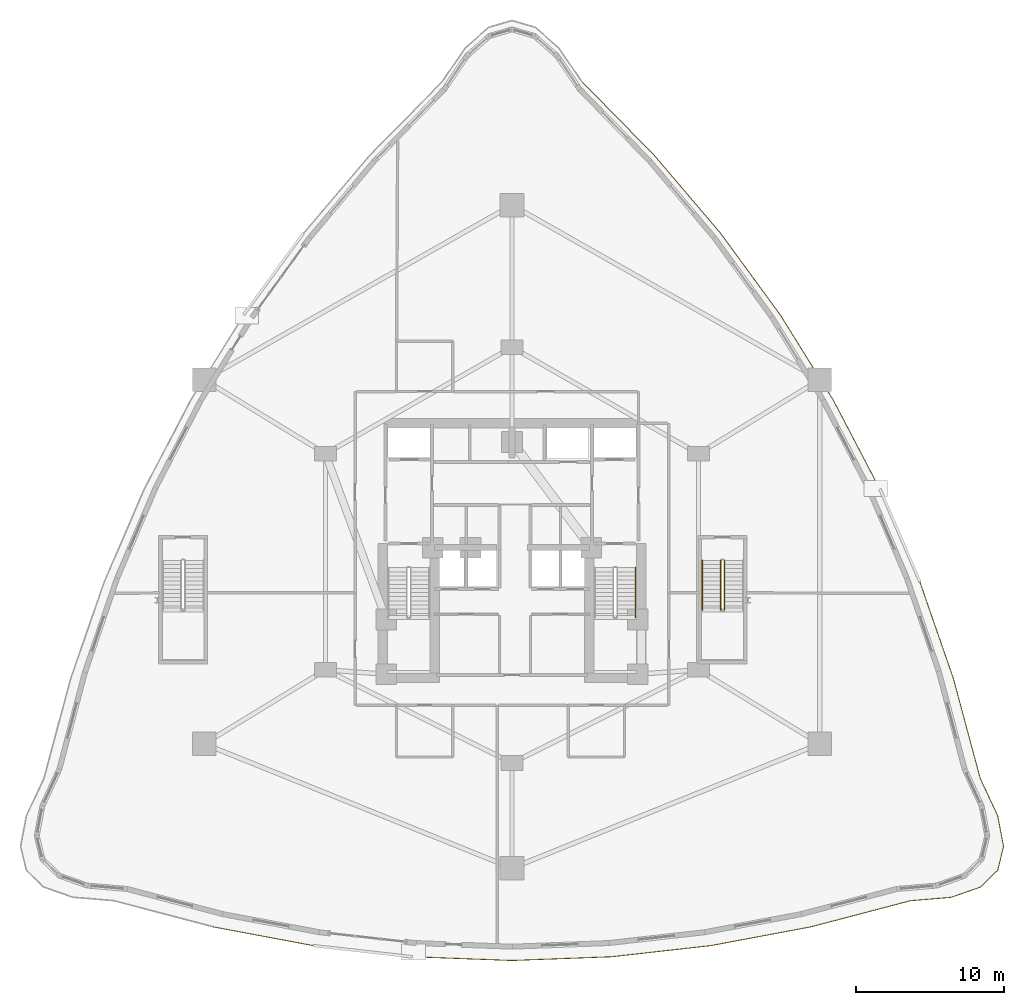
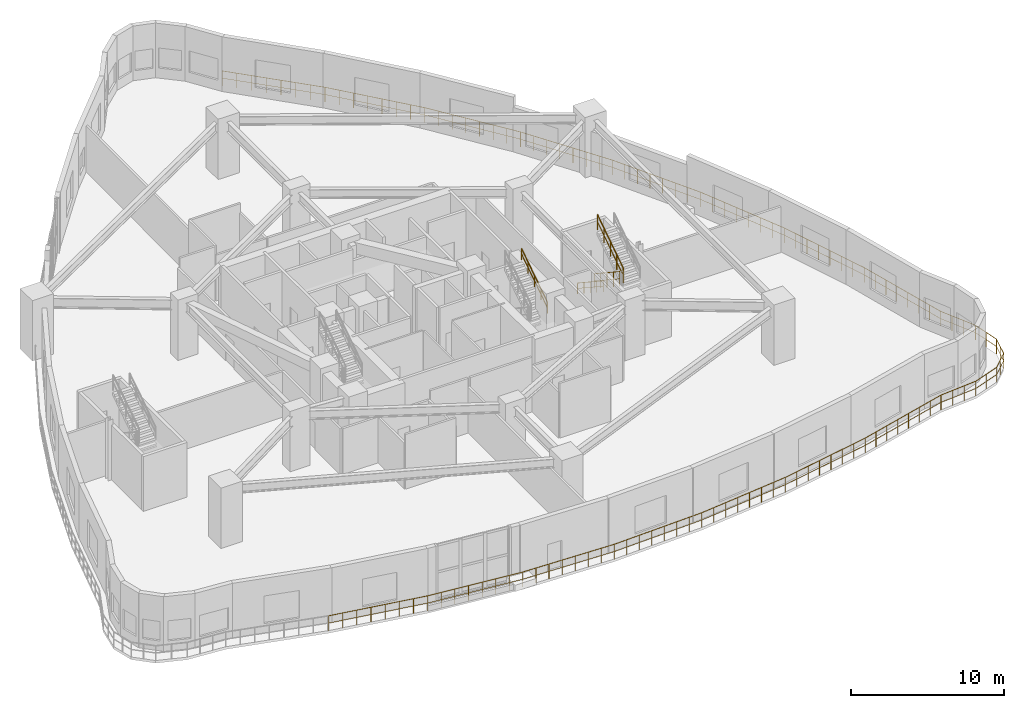
# One storey, part 17 of 19: 5 railings.
"""IFC4 building model written with IfcOpenShell, lengths in metres."""

import ifcopenshell
import ifcopenshell.guid

model = None  # the IFC model being written
_history = None  # IfcOwnerHistory: only IFC2X3 demands one
_inside = {}  # id of a spatial element -> (the spatial element, [elements in it])
_under = {}  # id of a project, library or spatial element -> (it, [spatial elements below it])
_declared = {}  # id of a project -> (the project, [libraries it declares])
_typed = {}  # id of a type object -> (the type object, [elements of that type])
_made_of = {}  # id of a material, layer set ... -> (it, [elements and type objects made of it])


def new_model(schema):
    """Start an empty IFC model of exactly this schema.

    Asked for "IFC4X3", IfcOpenShell would pick the latest addendum, in which some entities
    have other attributes; the version numbers below select the first issue.
    IFC2X3 requires an IfcOwnerHistory on every rooted entity: one is made here for all.
    """
    global model, _history
    if schema == "IFC4X3":
        model = ifcopenshell.file(schema_version=(4, 3, 0, 0))
    else:
        model = ifcopenshell.file(schema=schema)
    _inside.clear()
    _under.clear()
    _declared.clear()
    _typed.clear()
    _made_of.clear()
    _history = None
    if model.schema == "IFC2X3":
        org = make("IfcOrganization", Name="unknown")
        user = make(
            "IfcPersonAndOrganization",
            ThePerson=make("IfcPerson", FamilyName="unknown"),
            TheOrganization=org,
        )
        app = make(
            "IfcApplication",
            ApplicationDeveloper=org,
            Version="unknown",
            ApplicationFullName="unknown",
            ApplicationIdentifier="unknown",
        )
        _history = make(
            "IfcOwnerHistory",
            OwningUser=user,
            OwningApplication=app,
            ChangeAction="ADDED",
            CreationDate=0,
        )
    return model


def make(cls, **values):
    """One entity of the class cls with the attributes given. An attribute that is None is left unset."""
    return model.create_entity(
        cls, **{name: value for name, value in values.items() if value is not None}
    )


def rooted(cls, **values):
    """An entity with a GlobalId (a new one), such as an element, a storey or a relation."""
    return make(cls, GlobalId=ifcopenshell.guid.new(), OwnerHistory=_history, **values)


def si_unit(unit_type, name, prefix=None):
    """IfcSIUnit, for example si_unit("LENGTHUNIT", "METRE", prefix="MILLI")."""
    return make("IfcSIUnit", UnitType=unit_type, Prefix=prefix, Name=name)


def assignment(units):
    """IfcUnitAssignment: the units of a project."""
    return None if units is None else make("IfcUnitAssignment", Units=units)


def point(xyz):
    """IfcCartesianPoint."""
    return None if xyz is None else make("IfcCartesianPoint", Coordinates=xyz)


def direction(xyz):
    """IfcDirection."""
    return None if xyz is None else make("IfcDirection", DirectionRatios=xyz)


def frame(location, z_axis=None, x_axis=None):
    """IfcAxis2Placement3D, a coordinate frame: its origin and axes. An axis left out is left unset."""
    return make(
        "IfcAxis2Placement3D",
        Location=point(location),
        Axis=direction(z_axis),
        RefDirection=direction(x_axis),
    )


def frame_2d(location, x_axis=None):
    """IfcAxis2Placement2D, a coordinate frame in the plane: its origin and x axis."""
    return make(
        "IfcAxis2Placement2D", Location=point(location), RefDirection=direction(x_axis)
    )


def origin():
    """The frame at (0, 0, 0) with its axes left unset."""
    return frame((0.0, 0.0, 0.0))


def origin_2d():
    """The frame at (0, 0) in the plane with its x axis left unset."""
    return frame_2d((0.0, 0.0))


def place(relative_to, where):
    """IfcLocalPlacement: puts the frame where relative to a parent placement (None: the world)."""
    return make(
        "IfcLocalPlacement", PlacementRelTo=relative_to, RelativePlacement=where
    )


def context(
    kind, dimensions, precision=None, world=None, true_north=None, identifier=None
):
    """IfcGeometricRepresentationContext, for example the 3D "Model" context."""
    return make(
        "IfcGeometricRepresentationContext",
        ContextIdentifier=identifier,
        ContextType=kind,
        CoordinateSpaceDimension=dimensions,
        Precision=precision,
        WorldCoordinateSystem=world,
        TrueNorth=true_north,
    )


def subcontext(parent, identifier, kind, view, scale=None):
    """IfcGeometricRepresentationSubContext, for example "Body" below "Model"."""
    return make(
        "IfcGeometricRepresentationSubContext",
        ContextIdentifier=identifier,
        ContextType=kind,
        ParentContext=parent,
        TargetScale=scale,
        TargetView=view,
    )


def project(units=None, contexts=None):
    """IfcProject with its units and contexts."""
    return rooted(
        "IfcProject",
        Name="project",
        RepresentationContexts=contexts,
        UnitsInContext=assignment(units),
    )


def spatial(cls, under=None, at=None, **own):
    """A site, building, storey or space (cls), placed at a placement, below another one or the project."""
    s = rooted(cls, ObjectPlacement=at, **own)
    if under is not None:
        _under.setdefault(under.id(), (under, []))[1].append(s)
    return s


def profile(cls, at=None, kind="AREA", **sizes):
    """A parametric profile (cls). Its sizes go by their IFC names, for example OverallWidth=200.0."""
    return make(cls, ProfileType=kind, Position=at, **sizes)


def circle(**sizes):
    """IfcCircleProfileDef."""
    return profile("IfcCircleProfileDef", **sizes)


def extrude(swept, where, along, depth):
    """IfcExtrudedAreaSolid: the profile swept, set in the frame where, extruded along a direction by depth."""
    return make(
        "IfcExtrudedAreaSolid",
        SweptArea=swept,
        Position=where,
        ExtrudedDirection=direction(along),
        Depth=depth,
    )


def shape(context_of_items, identifier, shape_type, items):
    """IfcShapeRepresentation: the items that make up one representation, for example the "Body"."""
    return make(
        "IfcShapeRepresentation",
        ContextOfItems=context_of_items,
        RepresentationIdentifier=identifier,
        RepresentationType=shape_type,
        Items=items,
    )


def material(Name=None, Category=None):
    """IfcMaterial."""
    return make("IfcMaterial", Name=Name, Category=Category)


def made_of(thing, what):
    """Note that an element or type object is made of a material, layer set ...; save() writes the relation."""
    if what is not None:
        _made_of.setdefault(what.id(), (what, []))[1].append(thing)
    return thing


def type_object(cls, material=None, **own):
    """A type object (cls), such as IfcWallType, which elements share."""
    return made_of(rooted(cls, **own), material)


def element(
    cls,
    number,
    at=None,
    inside=None,
    cuts=None,
    type_object=None,
    material=None,
    context=None,
    identifier="Body",
    shape_type=None,
    held_by="IfcProductDefinitionShape",
    body=None,
    shapes=None,
    **own,
):
    """One element of the class cls, such as IfcWall. Its Tag is "e" and its number.

    at: its placement. inside: the storey or other place that contains it. cuts: it is an
    opening in that element (IfcRelVoidsElement). A single representation is given by context,
    identifier, shape_type and body (its items); several are given by shapes. held_by: the class
    of the entity that holds the representations. save() writes the other relations.
    """
    e = rooted(cls, Tag="e%d" % number, ObjectPlacement=at, **own)
    if body is not None:
        shapes = [shape(context, identifier, shape_type, body)]
    if shapes is not None:
        e.Representation = make(held_by, Representations=shapes)
    if inside is not None:
        _inside.setdefault(inside.id(), (inside, []))[1].append(e)
    if cuts is not None:
        rooted(
            "IfcRelVoidsElement", RelatingBuildingElement=cuts, RelatedOpeningElement=e
        )
    if type_object is not None:
        _typed.setdefault(type_object.id(), (type_object, []))[1].append(e)
    return made_of(e, material)


def aggregate(whole, parts):
    """IfcRelAggregates: a whole, such as a stair, and the parts it consists of."""
    return rooted("IfcRelAggregates", RelatingObject=whole, RelatedObjects=parts)


def save(model, path):
    """Write the relations noted so far, then the file.

    IfcRelAggregates (storeys below a building ...), IfcRelContainedInSpatialStructure (elements
    in a storey), IfcRelDefinesByType, IfcRelAssociatesMaterial and IfcRelDeclares: one each for
    every whole, place, type object, material and project.
    """
    for whole, parts in _under.values():
        aggregate(whole, parts)
    for where, things in _inside.values():
        rooted(
            "IfcRelContainedInSpatialStructure",
            RelatedElements=things,
            RelatingStructure=where,
        )
    for kind, things in _typed.values():
        rooted("IfcRelDefinesByType", RelatedObjects=things, RelatingType=kind)
    for what, things in _made_of.values():
        rooted("IfcRelAssociatesMaterial", RelatedObjects=things, RelatingMaterial=what)
    for by, libraries in _declared.values():
        rooted("IfcRelDeclares", RelatingContext=by, RelatedDefinitions=libraries)
    model.write(path)


model = new_model("IFC4")

# Units and contexts
model_context = context("Model", 3, precision=1e-05, world=origin(), true_north=direction((0.0, 1.0)))
body_context = subcontext(model_context, "Body", "Model", "MODEL_VIEW")
ifc_project = project(units=[si_unit("LENGTHUNIT", "METRE"), si_unit("AREAUNIT", "SQUARE_METRE"), si_unit("VOLUMEUNIT", "CUBIC_METRE"), si_unit("PLANEANGLEUNIT", "RADIAN"), si_unit("MASSUNIT", "GRAM", prefix="KILO")], contexts=[model_context])

# Site, building, storey
site_placement = place(None, origin())
site = spatial("IfcSite", under=ifc_project, at=site_placement, CompositionType="ELEMENT")
building_placement = place(site_placement, origin())
building = spatial("IfcBuilding", under=site, at=building_placement, Name="Miruveldt Soraemaru", CompositionType="ELEMENT")
storey_placement = place(building_placement, frame((0.0, 0.0, 19.199951171875)))
storey = spatial("IfcBuildingStorey", under=building, at=storey_placement, Name="L05", CompositionType="ELEMENT", Elevation=19.199951171875)

# Railings
ifc_material_1 = material(Name="Anodised aluminium EN AW-6063 T6", Category="aluminium")
railing_type_1 = type_object("IfcRailingType", Name="RAIL-GUARD-1200", PredefinedType="GUARDRAIL", material=ifc_material_1)
railing_1_placement = place(storey_placement, frame((23.81298828125, 18.423583984375, 0.0)))
element("IfcRailing", 1, at=railing_1_placement, inside=storey, type_object=railing_type_1, Name="L05 Planted Terrace Perimeter Guardrail (B)", PredefinedType="GUARDRAIL", context=body_context, shape_type="SweptSolid", body=[
    extrude(circle(Radius=0.02392578125, at=origin_2d()), frame((0.0, 0.0, 1.17578125), z_axis=(0.98287137952, -0.184292841207, 0.0), x_axis=(0.184292841207, 0.98287137952, 0.0)), (0.0, 0.0, 1.0), 6.84619140625),
    extrude(circle(Radius=0.01611328125, at=origin_2d()), frame((0.0, 0.0, 0.60009765625), z_axis=(0.98287137952, -0.184292841207, 0.0), x_axis=(0.184292841207, 0.98287137952, 0.0)), (0.0, 0.0, 1.0), 6.84619140625),
    extrude(circle(Radius=0.02392578125, at=origin_2d()), frame((6.72900390625, -1.26171875, 1.17578125), z_axis=(0.99373021462, -0.111804564093, 0.0), x_axis=(0.111804564093, 0.99373021462, 0.0)), (0.0, 0.0, 1.0), 6.771484375),
    extrude(circle(Radius=0.01611328125, at=origin_2d()), frame((6.72900390625, -1.26171875, 0.60009765625), z_axis=(0.99373021462, -0.111804564093, 0.0), x_axis=(0.111804564093, 0.99373021462, 0.0)), (0.0, 0.0, 1.0), 6.771484375),
    extrude(circle(Radius=0.02392578125, at=origin_2d()), frame((13.4580078125, -2.018798828125, 1.17578125), z_axis=(0.999298396173, -0.037452842437, 0.0), x_axis=(0.037452842437, 0.999298396173, 0.0)), (0.0, 0.0, 1.0), 6.733642578125),
    extrude(circle(Radius=0.01611328125, at=origin_2d()), frame((13.4580078125, -2.018798828125, 0.60009765625), z_axis=(0.999298396173, -0.037452842437, 0.0), x_axis=(0.037452842437, 0.999298396173, 0.0)), (0.0, 0.0, 1.0), 6.733642578125),
    extrude(circle(Radius=0.02392578125, at=origin_2d()), frame((20.18701171875, -2.27099609375, 1.17578125), z_axis=(0.999298396173, 0.037452842437, 0.0), x_axis=(-0.037452842437, 0.999298396173, 0.0)), (0.0, 0.0, 1.0), 6.733642578125),
    extrude(circle(Radius=0.01611328125, at=origin_2d()), frame((20.18701171875, -2.27099609375, 0.60009765625), z_axis=(0.999298396173, 0.037452842437, 0.0), x_axis=(-0.037452842437, 0.999298396173, 0.0)), (0.0, 0.0, 1.0), 6.733642578125),
    extrude(circle(Radius=0.02392578125, at=origin_2d()), frame((26.916015625, -2.018798828125, 1.17578125), z_axis=(0.99373021462, 0.111804564093, 0.0), x_axis=(-0.111804564093, 0.99373021462, 0.0)), (0.0, 0.0, 1.0), 6.771484375),
    extrude(circle(Radius=0.01611328125, at=origin_2d()), frame((26.916015625, -2.018798828125, 0.60009765625), z_axis=(0.99373021462, 0.111804564093, 0.0), x_axis=(-0.111804564093, 0.99373021462, 0.0)), (0.0, 0.0, 1.0), 6.771484375),
    extrude(circle(Radius=0.02392578125, at=origin_2d()), frame((33.64501953125, -1.26171875, 1.17578125), z_axis=(0.98287137952, 0.184292841207, 0.0), x_axis=(-0.184292841207, 0.98287137952, 0.0)), (0.0, 0.0, 1.0), 6.84619140625),
    extrude(circle(Radius=0.01611328125, at=origin_2d()), frame((33.64501953125, -1.26171875, 0.60009765625), z_axis=(0.98287137952, 0.184292841207, 0.0), x_axis=(-0.184292841207, 0.98287137952, 0.0)), (0.0, 0.0, 1.0), 6.84619140625),
    extrude(circle(Radius=0.02392578125, at=origin_2d()), frame((40.3740234375, 0.0, 1.17578125), z_axis=(0.96723118083, 0.253897307645, 0.0), x_axis=(-0.253897307645, 0.96723118083, 0.0)), (0.0, 0.0, 1.0), 6.95703125),
    extrude(circle(Radius=0.01611328125, at=origin_2d()), frame((40.3740234375, 0.0, 0.60009765625), z_axis=(0.96723118083, 0.253897307645, 0.0), x_axis=(-0.253897307645, 0.96723118083, 0.0)), (0.0, 0.0, 1.0), 6.95703125),
    extrude(circle(Radius=0.02392578125, at=origin_2d()), frame((47.10302734375, 1.766357421875, 1.17578125), z_axis=(0.996542107413, 0.083089278207, 0.0), x_axis=(-0.083089278207, 0.996542107413, 0.0)), (0.0, 0.0, 1.0), 2.767822265625),
    extrude(circle(Radius=0.01611328125, at=origin_2d()), frame((47.10302734375, 1.766357421875, 0.60009765625), z_axis=(0.996542107413, 0.083089278207, 0.0), x_axis=(-0.083089278207, 0.996542107413, 0.0)), (0.0, 0.0, 1.0), 2.767822265625),
    extrude(circle(Radius=0.02392578125, at=origin_2d()), frame((49.861328125, 1.996337890625, 1.17578125), z_axis=(0.943913048977, 0.33019411862, 0.0), x_axis=(-0.33019411862, 0.943913048977, 0.0)), (0.0, 0.0, 1.0), 2.08740234375),
    extrude(circle(Radius=0.01611328125, at=origin_2d()), frame((49.861328125, 1.996337890625, 0.60009765625), z_axis=(0.943913048977, 0.33019411862, 0.0), x_axis=(-0.33019411862, 0.943913048977, 0.0)), (0.0, 0.0, 1.0), 2.08740234375),
    extrude(circle(Radius=0.02392578125, at=origin_2d()), frame((51.83154296875, 2.685546875, 1.17578125), z_axis=(0.717105941548, 0.696964180282, 0.0), x_axis=(-0.696964180282, 0.717105941548, 0.0)), (0.0, 0.0, 1.0), 1.6484375),
    extrude(circle(Radius=0.01611328125, at=origin_2d()), frame((51.83154296875, 2.685546875, 0.60009765625), z_axis=(0.717105941548, 0.696964180282, 0.0), x_axis=(-0.696964180282, 0.717105941548, 0.0)), (0.0, 0.0, 1.0), 1.6484375),
    extrude(circle(Radius=0.02392578125, at=origin_2d()), frame((53.013671875, 3.83447265625, 1.17578125), z_axis=(0.237953885164, 0.971276453197, 0.0), x_axis=(-0.971276453197, 0.237953885164, 0.0)), (0.0, 0.0, 1.0), 1.656005859375),
    extrude(circle(Radius=0.01611328125, at=origin_2d()), frame((53.013671875, 3.83447265625, 0.60009765625), z_axis=(0.237953885164, 0.971276453197, 0.0), x_axis=(-0.971276453197, 0.237953885164, 0.0)), (0.0, 0.0, 1.0), 1.656005859375),
    extrude(circle(Radius=0.02392578125, at=origin_2d()), frame((53.40771484375, 5.44287109375, 1.17578125), z_axis=(-0.187186718311, 0.982324351978, 0.0), x_axis=(-0.982324351978, -0.187186718311, 0.0)), (0.0, 0.0, 1.0), 2.10498046875),
    extrude(circle(Radius=0.01611328125, at=origin_2d()), frame((53.40771484375, 5.44287109375, 0.60009765625), z_axis=(-0.187186718311, 0.982324351978, 0.0), x_axis=(-0.982324351978, -0.187186718311, 0.0)), (0.0, 0.0, 1.0), 2.10498046875),
    extrude(circle(Radius=0.02392578125, at=origin_2d()), frame((53.013671875, 7.5107421875, 1.17578125), z_axis=(-0.423646898679, 0.90582741471, 0.0), x_axis=(-0.90582741471, -0.423646898679, 0.0)), (0.0, 0.0, 1.0), 2.790283203125),
    extrude(circle(Radius=0.01611328125, at=origin_2d()), frame((53.013671875, 7.5107421875, 0.60009765625), z_axis=(-0.423646898679, 0.90582741471, 0.0), x_axis=(-0.90582741471, -0.423646898679, 0.0)), (0.0, 0.0, 1.0), 2.790283203125),
    extrude(circle(Radius=0.02392578125, at=origin_2d()), frame((51.83154296875, 10.038330078125, 1.17578125), z_axis=(-0.259561241891, 0.96572664958, 0.0), x_axis=(-0.96572664958, -0.259561241891, 0.0)), (0.0, 0.0, 1.0), 7.00927734375),
    extrude(circle(Radius=0.01611328125, at=origin_2d()), frame((51.83154296875, 10.038330078125, 0.60009765625), z_axis=(-0.259561241891, 0.96572664958, 0.0), x_axis=(-0.96572664958, -0.259561241891, 0.0)), (0.0, 0.0, 1.0), 7.00927734375),
    extrude(circle(Radius=0.02392578125, at=origin_2d()), frame((50.01220703125, 16.807373046875, 1.17578125), z_axis=(-0.327788820377, 0.944751019706, 0.0), x_axis=(-0.944751019706, -0.327788820377, 0.0)), (0.0, 0.0, 1.0), 6.897705078125),
    extrude(circle(Radius=0.01611328125, at=origin_2d()), frame((50.01220703125, 16.807373046875, 0.60009765625), z_axis=(-0.327788820377, 0.944751019706, 0.0), x_axis=(-0.944751019706, -0.327788820377, 0.0)), (0.0, 0.0, 1.0), 6.897705078125),
    extrude(circle(Radius=0.02392578125, at=origin_2d()), frame((47.751220703125, 23.323974609375, 1.17578125), z_axis=(-0.396116550167, 0.918200238882, 0.0), x_axis=(-0.918200238882, -0.396116550167, 0.0)), (0.0, 0.0, 1.0), 6.822265625),
    extrude(circle(Radius=0.01611328125, at=origin_2d()), frame((47.751220703125, 23.323974609375, 0.60009765625), z_axis=(-0.396116550167, 0.918200238882, 0.0), x_axis=(-0.918200238882, -0.396116550167, 0.0)), (0.0, 0.0, 1.0), 6.822265625),
    extrude(circle(Radius=0.02392578125, at=origin_2d()), frame((45.048828125, 29.588134765625, 1.17578125), z_axis=(-0.463391023411, 0.886153914071, 0.0), x_axis=(-0.886153914071, -0.463391023411, 0.0)), (0.0, 0.0, 1.0), 6.784423828125),
    extrude(circle(Radius=0.01611328125, at=origin_2d()), frame((45.048828125, 29.588134765625, 0.60009765625), z_axis=(-0.463391023411, 0.886153914071, 0.0), x_axis=(-0.886153914071, -0.463391023411, 0.0)), (0.0, 0.0, 1.0), 6.784423828125),
    extrude(circle(Radius=0.02392578125, at=origin_2d()), frame((41.905029296875, 35.60009765625, 1.17578125), z_axis=(-0.528461568287, 0.848957225568, 0.0), x_axis=(-0.848957225568, -0.528461568287, 0.0)), (0.0, 0.0, 1.0), 6.7841796875),
    extrude(circle(Radius=0.01611328125, at=origin_2d()), frame((41.905029296875, 35.60009765625, 0.60009765625), z_axis=(-0.528461568287, 0.848957225568, 0.0), x_axis=(-0.848957225568, -0.528461568287, 0.0)), (0.0, 0.0, 1.0), 6.7841796875),
    extrude(circle(Radius=0.02392578125, at=origin_2d()), frame((38.31982421875, 41.359619140625, 1.17578125), z_axis=(-0.590210373126, 0.807249475351, 0.0), x_axis=(-0.807249475351, -0.590210373126, 0.0)), (0.0, 0.0, 1.0), 6.822265625),
    extrude(circle(Radius=0.01611328125, at=origin_2d()), frame((38.31982421875, 41.359619140625, 0.60009765625), z_axis=(-0.590210373126, 0.807249475351, 0.0), x_axis=(-0.807249475351, -0.590210373126, 0.0)), (0.0, 0.0, 1.0), 6.822265625),
    extrude(circle(Radius=0.02392578125, at=origin_2d()), frame((34.293212890625, 46.866943359375, 1.17578125), z_axis=(-0.647784027541, 0.761824030641, 0.0), x_axis=(-0.761824030641, -0.647784027541, 0.0)), (0.0, 0.0, 1.0), 6.897705078125),
    extrude(circle(Radius=0.01611328125, at=origin_2d()), frame((34.293212890625, 46.866943359375, 0.60009765625), z_axis=(-0.647784027541, 0.761824030641, 0.0), x_axis=(-0.761824030641, -0.647784027541, 0.0)), (0.0, 0.0, 1.0), 6.897705078125),
    extrude(circle(Radius=0.02392578125, at=origin_2d()), frame((29.824951171875, 52.121826171875, 1.17578125), z_axis=(-0.700422679824, 0.713728288348, 0.0), x_axis=(-0.713728288348, -0.700422679824, 0.0)), (0.0, 0.0, 1.0), 6.9541015625),
    extrude(circle(Radius=0.01611328125, at=origin_2d()), frame((29.824951171875, 52.121826171875, 0.60009765625), z_axis=(-0.700422679824, 0.713728288348, 0.0), x_axis=(-0.713728288348, -0.700422679824, 0.0)), (0.0, 0.0, 1.0), 6.9541015625),
    extrude(circle(Radius=0.02099609375, at=origin_2d()), origin(), (0.0, 0.0, 1.0), 1.15185546875),
    extrude(circle(Radius=0.02099609375, at=origin_2d()), frame((0.961181640625, -0.18017578125, 0.0)), (0.0, 0.0, 1.0), 1.15185546875),
    extrude(circle(Radius=0.02099609375, at=origin_2d()), frame((1.922607421875, -0.360595703125, 0.0)), (0.0, 0.0, 1.0), 1.15185546875),
    extrude(circle(Radius=0.02099609375, at=origin_2d()), frame((2.8837890625, -0.540771484375, 0.0)), (0.0, 0.0, 1.0), 1.15185546875),
    extrude(circle(Radius=0.02099609375, at=origin_2d()), frame((3.84521484375, -0.720947265625, 0.0)), (0.0, 0.0, 1.0), 1.15185546875),
    extrude(circle(Radius=0.02099609375, at=origin_2d()), frame((4.806396484375, -0.901123046875, 0.0)), (0.0, 0.0, 1.0), 1.15185546875),
    extrude(circle(Radius=0.02099609375, at=origin_2d()), frame((5.767822265625, -1.08154296875, 0.0)), (0.0, 0.0, 1.0), 1.15185546875),
    extrude(circle(Radius=0.02099609375, at=origin_2d()), frame((6.72900390625, -1.26171875, 0.0)), (0.0, 0.0, 1.0), 1.15185546875),
    extrude(circle(Radius=0.02099609375, at=origin_2d()), frame((7.690185546875, -1.369873046875, 0.0)), (0.0, 0.0, 1.0), 1.15185546875),
    extrude(circle(Radius=0.02099609375, at=origin_2d()), frame((8.651611328125, -1.47802734375, 0.0)), (0.0, 0.0, 1.0), 1.15185546875),
    extrude(circle(Radius=0.02099609375, at=origin_2d()), frame((9.61279296875, -1.586181640625, 0.0)), (0.0, 0.0, 1.0), 1.15185546875),
    extrude(circle(Radius=0.02099609375, at=origin_2d()), frame((10.57421875, -1.6943359375, 0.0)), (0.0, 0.0, 1.0), 1.15185546875),
    extrude(circle(Radius=0.02099609375, at=origin_2d()), frame((11.535400390625, -1.802490234375, 0.0)), (0.0, 0.0, 1.0), 1.15185546875),
    extrude(circle(Radius=0.02099609375, at=origin_2d()), frame((12.496826171875, -1.91064453125, 0.0)), (0.0, 0.0, 1.0), 1.15185546875),
    extrude(circle(Radius=0.02099609375, at=origin_2d()), frame((13.4580078125, -2.018798828125, 0.0)), (0.0, 0.0, 1.0), 1.15185546875),
    extrude(circle(Radius=0.02099609375, at=origin_2d()), frame((14.419189453125, -2.054931640625, 0.0)), (0.0, 0.0, 1.0), 1.15185546875),
    extrude(circle(Radius=0.02099609375, at=origin_2d()), frame((15.380615234375, -2.0908203125, 0.0)), (0.0, 0.0, 1.0), 1.15185546875),
    extrude(circle(Radius=0.02099609375, at=origin_2d()), frame((16.341796875, -2.126953125, 0.0)), (0.0, 0.0, 1.0), 1.15185546875),
    extrude(circle(Radius=0.02099609375, at=origin_2d()), frame((17.30322265625, -2.162841796875, 0.0)), (0.0, 0.0, 1.0), 1.15185546875),
    extrude(circle(Radius=0.02099609375, at=origin_2d()), frame((18.264404296875, -2.198974609375, 0.0)), (0.0, 0.0, 1.0), 1.15185546875),
    extrude(circle(Radius=0.02099609375, at=origin_2d()), frame((19.225830078125, -2.23486328125, 0.0)), (0.0, 0.0, 1.0), 1.15185546875),
    extrude(circle(Radius=0.02099609375, at=origin_2d()), frame((20.18701171875, -2.27099609375, 0.0)), (0.0, 0.0, 1.0), 1.15185546875),
    extrude(circle(Radius=0.02099609375, at=origin_2d()), frame((21.148193359375, -2.23486328125, 0.0)), (0.0, 0.0, 1.0), 1.15185546875),
    extrude(circle(Radius=0.02099609375, at=origin_2d()), frame((22.109619140625, -2.198974609375, 0.0)), (0.0, 0.0, 1.0), 1.15185546875),
    extrude(circle(Radius=0.02099609375, at=origin_2d()), frame((23.07080078125, -2.162841796875, 0.0)), (0.0, 0.0, 1.0), 1.15185546875),
    extrude(circle(Radius=0.02099609375, at=origin_2d()), frame((24.0322265625, -2.126953125, 0.0)), (0.0, 0.0, 1.0), 1.15185546875),
    extrude(circle(Radius=0.02099609375, at=origin_2d()), frame((24.993408203125, -2.0908203125, 0.0)), (0.0, 0.0, 1.0), 1.15185546875),
    extrude(circle(Radius=0.02099609375, at=origin_2d()), frame((25.954833984375, -2.054931640625, 0.0)), (0.0, 0.0, 1.0), 1.15185546875),
    extrude(circle(Radius=0.02099609375, at=origin_2d()), frame((26.916015625, -2.018798828125, 0.0)), (0.0, 0.0, 1.0), 1.15185546875),
    extrude(circle(Radius=0.02099609375, at=origin_2d()), frame((27.877197265625, -1.91064453125, 0.0)), (0.0, 0.0, 1.0), 1.15185546875),
    extrude(circle(Radius=0.02099609375, at=origin_2d()), frame((28.838623046875, -1.802490234375, 0.0)), (0.0, 0.0, 1.0), 1.15185546875),
    extrude(circle(Radius=0.02099609375, at=origin_2d()), frame((29.7998046875, -1.6943359375, 0.0)), (0.0, 0.0, 1.0), 1.15185546875),
    extrude(circle(Radius=0.02099609375, at=origin_2d()), frame((30.76123046875, -1.586181640625, 0.0)), (0.0, 0.0, 1.0), 1.15185546875),
    extrude(circle(Radius=0.02099609375, at=origin_2d()), frame((31.722412109375, -1.47802734375, 0.0)), (0.0, 0.0, 1.0), 1.15185546875),
    extrude(circle(Radius=0.02099609375, at=origin_2d()), frame((32.683837890625, -1.369873046875, 0.0)), (0.0, 0.0, 1.0), 1.15185546875),
    extrude(circle(Radius=0.02099609375, at=origin_2d()), frame((33.64501953125, -1.26171875, 0.0)), (0.0, 0.0, 1.0), 1.15185546875),
    extrude(circle(Radius=0.02099609375, at=origin_2d()), frame((34.606201171875, -1.08154296875, 0.0)), (0.0, 0.0, 1.0), 1.15185546875),
    extrude(circle(Radius=0.02099609375, at=origin_2d()), frame((35.567626953125, -0.901123046875, 0.0)), (0.0, 0.0, 1.0), 1.15185546875),
    extrude(circle(Radius=0.02099609375, at=origin_2d()), frame((36.52880859375, -0.720947265625, 0.0)), (0.0, 0.0, 1.0), 1.15185546875),
    extrude(circle(Radius=0.02099609375, at=origin_2d()), frame((37.490234375, -0.540771484375, 0.0)), (0.0, 0.0, 1.0), 1.15185546875),
    extrude(circle(Radius=0.02099609375, at=origin_2d()), frame((38.451416015625, -0.360595703125, 0.0)), (0.0, 0.0, 1.0), 1.15185546875),
    extrude(circle(Radius=0.02099609375, at=origin_2d()), frame((39.412841796875, -0.18017578125, 0.0)), (0.0, 0.0, 1.0), 1.15185546875),
    extrude(circle(Radius=0.02099609375, at=origin_2d()), frame((40.3740234375, 0.0, 0.0)), (0.0, 0.0, 1.0), 1.15185546875),
    extrude(circle(Radius=0.02099609375, at=origin_2d()), frame((41.335205078125, 0.25244140625, 0.0)), (0.0, 0.0, 1.0), 1.15185546875),
    extrude(circle(Radius=0.02099609375, at=origin_2d()), frame((42.296630859375, 0.504638671875, 0.0)), (0.0, 0.0, 1.0), 1.15185546875),
    extrude(circle(Radius=0.02099609375, at=origin_2d()), frame((43.2578125, 0.757080078125, 0.0)), (0.0, 0.0, 1.0), 1.15185546875),
    extrude(circle(Radius=0.02099609375, at=origin_2d()), frame((44.21923828125, 1.00927734375, 0.0)), (0.0, 0.0, 1.0), 1.15185546875),
    extrude(circle(Radius=0.02099609375, at=origin_2d()), frame((45.180419921875, 1.26171875, 0.0)), (0.0, 0.0, 1.0), 1.15185546875),
    extrude(circle(Radius=0.02099609375, at=origin_2d()), frame((46.141845703125, 1.513916015625, 0.0)), (0.0, 0.0, 1.0), 1.15185546875),
    extrude(circle(Radius=0.02099609375, at=origin_2d()), frame((47.10302734375, 1.766357421875, 0.0)), (0.0, 0.0, 1.0), 1.15185546875),
    extrude(circle(Radius=0.02099609375, at=origin_2d()), frame((48.0224609375, 1.843017578125, 0.0)), (0.0, 0.0, 1.0), 1.15185546875),
    extrude(circle(Radius=0.02099609375, at=origin_2d()), frame((48.94189453125, 1.919677734375, 0.0)), (0.0, 0.0, 1.0), 1.15185546875),
    extrude(circle(Radius=0.02099609375, at=origin_2d()), frame((49.861328125, 1.996337890625, 0.0)), (0.0, 0.0, 1.0), 1.15185546875),
    extrude(circle(Radius=0.02099609375, at=origin_2d()), frame((50.846435546875, 2.3408203125, 0.0)), (0.0, 0.0, 1.0), 1.15185546875),
    extrude(circle(Radius=0.02099609375, at=origin_2d()), frame((51.83154296875, 2.685546875, 0.0)), (0.0, 0.0, 1.0), 1.15185546875),
    extrude(circle(Radius=0.02099609375, at=origin_2d()), frame((52.422607421875, 3.260009765625, 0.0)), (0.0, 0.0, 1.0), 1.15185546875),
    extrude(circle(Radius=0.02099609375, at=origin_2d()), frame((53.013671875, 3.83447265625, 0.0)), (0.0, 0.0, 1.0), 1.15185546875),
    extrude(circle(Radius=0.02099609375, at=origin_2d()), frame((53.210693359375, 4.638671875, 0.0)), (0.0, 0.0, 1.0), 1.15185546875),
    extrude(circle(Radius=0.02099609375, at=origin_2d()), frame((53.40771484375, 5.44287109375, 0.0)), (0.0, 0.0, 1.0), 1.15185546875),
    extrude(circle(Radius=0.02099609375, at=origin_2d()), frame((53.210693359375, 6.476806640625, 0.0)), (0.0, 0.0, 1.0), 1.15185546875),
    extrude(circle(Radius=0.02099609375, at=origin_2d()), frame((53.013671875, 7.5107421875, 0.0)), (0.0, 0.0, 1.0), 1.15185546875),
    extrude(circle(Radius=0.02099609375, at=origin_2d()), frame((52.61962890625, 8.353271484375, 0.0)), (0.0, 0.0, 1.0), 1.15185546875),
    extrude(circle(Radius=0.02099609375, at=origin_2d()), frame((52.2255859375, 9.19580078125, 0.0)), (0.0, 0.0, 1.0), 1.15185546875),
    extrude(circle(Radius=0.02099609375, at=origin_2d()), frame((51.83154296875, 10.038330078125, 0.0)), (0.0, 0.0, 1.0), 1.15185546875),
    extrude(circle(Radius=0.02099609375, at=origin_2d()), frame((51.571533203125, 11.00537109375, 0.0)), (0.0, 0.0, 1.0), 1.15185546875),
    extrude(circle(Radius=0.02099609375, at=origin_2d()), frame((51.311767578125, 11.972412109375, 0.0)), (0.0, 0.0, 1.0), 1.15185546875),
    extrude(circle(Radius=0.02099609375, at=origin_2d()), frame((51.0517578125, 12.939453125, 0.0)), (0.0, 0.0, 1.0), 1.15185546875),
    extrude(circle(Radius=0.02099609375, at=origin_2d()), frame((50.7919921875, 13.90625, 0.0)), (0.0, 0.0, 1.0), 1.15185546875),
    extrude(circle(Radius=0.02099609375, at=origin_2d()), frame((50.531982421875, 14.873291015625, 0.0)), (0.0, 0.0, 1.0), 1.15185546875),
    extrude(circle(Radius=0.02099609375, at=origin_2d()), frame((50.272216796875, 15.84033203125, 0.0)), (0.0, 0.0, 1.0), 1.15185546875),
    extrude(circle(Radius=0.02099609375, at=origin_2d()), frame((50.01220703125, 16.807373046875, 0.0)), (0.0, 0.0, 1.0), 1.15185546875),
    extrude(circle(Radius=0.02099609375, at=origin_2d()), frame((49.689208984375, 17.73828125, 0.0)), (0.0, 0.0, 1.0), 1.15185546875),
    extrude(circle(Radius=0.02099609375, at=origin_2d()), frame((49.3662109375, 18.669189453125, 0.0)), (0.0, 0.0, 1.0), 1.15185546875),
    extrude(circle(Radius=0.02099609375, at=origin_2d()), frame((49.043212890625, 19.60009765625, 0.0)), (0.0, 0.0, 1.0), 1.15185546875),
    extrude(circle(Radius=0.02099609375, at=origin_2d()), frame((48.72021484375, 20.53125, 0.0)), (0.0, 0.0, 1.0), 1.15185546875),
    extrude(circle(Radius=0.02099609375, at=origin_2d()), frame((48.397216796875, 21.462158203125, 0.0)), (0.0, 0.0, 1.0), 1.15185546875),
    extrude(circle(Radius=0.02099609375, at=origin_2d()), frame((48.07421875, 22.39306640625, 0.0)), (0.0, 0.0, 1.0), 1.15185546875),
    extrude(circle(Radius=0.02099609375, at=origin_2d()), frame((47.751220703125, 23.323974609375, 0.0)), (0.0, 0.0, 1.0), 1.15185546875),
    extrude(circle(Radius=0.02099609375, at=origin_2d()), frame((47.365234375, 24.21875, 0.0)), (0.0, 0.0, 1.0), 1.15185546875),
    extrude(circle(Radius=0.02099609375, at=origin_2d()), frame((46.97900390625, 25.11376953125, 0.0)), (0.0, 0.0, 1.0), 1.15185546875),
    extrude(circle(Radius=0.02099609375, at=origin_2d()), frame((46.593017578125, 26.008544921875, 0.0)), (0.0, 0.0, 1.0), 1.15185546875),
    extrude(circle(Radius=0.02099609375, at=origin_2d()), frame((46.20703125, 26.903564453125, 0.0)), (0.0, 0.0, 1.0), 1.15185546875),
    extrude(circle(Radius=0.02099609375, at=origin_2d()), frame((45.821044921875, 27.79833984375, 0.0)), (0.0, 0.0, 1.0), 1.15185546875),
    extrude(circle(Radius=0.02099609375, at=origin_2d()), frame((45.434814453125, 28.693359375, 0.0)), (0.0, 0.0, 1.0), 1.15185546875),
    extrude(circle(Radius=0.02099609375, at=origin_2d()), frame((45.048828125, 29.588134765625, 0.0)), (0.0, 0.0, 1.0), 1.15185546875),
    extrude(circle(Radius=0.02099609375, at=origin_2d()), frame((44.599609375, 30.447021484375, 0.0)), (0.0, 0.0, 1.0), 1.15185546875),
    extrude(circle(Radius=0.02099609375, at=origin_2d()), frame((44.150634765625, 31.305908203125, 0.0)), (0.0, 0.0, 1.0), 1.15185546875),
    extrude(circle(Radius=0.02099609375, at=origin_2d()), frame((43.701416015625, 32.164794921875, 0.0)), (0.0, 0.0, 1.0), 1.15185546875),
    extrude(circle(Radius=0.02099609375, at=origin_2d()), frame((43.25244140625, 33.0234375, 0.0)), (0.0, 0.0, 1.0), 1.15185546875),
    extrude(circle(Radius=0.02099609375, at=origin_2d()), frame((42.80322265625, 33.88232421875, 0.0)), (0.0, 0.0, 1.0), 1.15185546875),
    extrude(circle(Radius=0.02099609375, at=origin_2d()), frame((42.354248046875, 34.7412109375, 0.0)), (0.0, 0.0, 1.0), 1.15185546875),
    extrude(circle(Radius=0.02099609375, at=origin_2d()), frame((41.905029296875, 35.60009765625, 0.0)), (0.0, 0.0, 1.0), 1.15185546875),
    extrude(circle(Radius=0.02099609375, at=origin_2d()), frame((41.392822265625, 36.4228515625, 0.0)), (0.0, 0.0, 1.0), 1.15185546875),
    extrude(circle(Radius=0.02099609375, at=origin_2d()), frame((40.880615234375, 37.24560546875, 0.0)), (0.0, 0.0, 1.0), 1.15185546875),
    extrude(circle(Radius=0.02099609375, at=origin_2d()), frame((40.368408203125, 38.068359375, 0.0)), (0.0, 0.0, 1.0), 1.15185546875),
    extrude(circle(Radius=0.02099609375, at=origin_2d()), frame((39.8564453125, 38.891357421875, 0.0)), (0.0, 0.0, 1.0), 1.15185546875),
    extrude(circle(Radius=0.02099609375, at=origin_2d()), frame((39.34423828125, 39.714111328125, 0.0)), (0.0, 0.0, 1.0), 1.15185546875),
    extrude(circle(Radius=0.02099609375, at=origin_2d()), frame((38.83203125, 40.536865234375, 0.0)), (0.0, 0.0, 1.0), 1.15185546875),
    extrude(circle(Radius=0.02099609375, at=origin_2d()), frame((38.31982421875, 41.359619140625, 0.0)), (0.0, 0.0, 1.0), 1.15185546875),
    extrude(circle(Radius=0.02099609375, at=origin_2d()), frame((37.74462890625, 42.146484375, 0.0)), (0.0, 0.0, 1.0), 1.15185546875),
    extrude(circle(Radius=0.02099609375, at=origin_2d()), frame((37.16943359375, 42.93310546875, 0.0)), (0.0, 0.0, 1.0), 1.15185546875),
    extrude(circle(Radius=0.02099609375, at=origin_2d()), frame((36.59423828125, 43.719970703125, 0.0)), (0.0, 0.0, 1.0), 1.15185546875),
    extrude(circle(Radius=0.02099609375, at=origin_2d()), frame((36.018798828125, 44.506591796875, 0.0)), (0.0, 0.0, 1.0), 1.15185546875),
    extrude(circle(Radius=0.02099609375, at=origin_2d()), frame((35.443603515625, 45.29345703125, 0.0)), (0.0, 0.0, 1.0), 1.15185546875),
    extrude(circle(Radius=0.02099609375, at=origin_2d()), frame((34.868408203125, 46.080078125, 0.0)), (0.0, 0.0, 1.0), 1.15185546875),
    extrude(circle(Radius=0.02099609375, at=origin_2d()), frame((34.293212890625, 46.866943359375, 0.0)), (0.0, 0.0, 1.0), 1.15185546875),
    extrude(circle(Radius=0.02099609375, at=origin_2d()), frame((33.65478515625, 47.61767578125, 0.0)), (0.0, 0.0, 1.0), 1.15185546875),
    extrude(circle(Radius=0.02099609375, at=origin_2d()), frame((33.0166015625, 48.368408203125, 0.0)), (0.0, 0.0, 1.0), 1.15185546875),
    extrude(circle(Radius=0.02099609375, at=origin_2d()), frame((32.378173828125, 49.119140625, 0.0)), (0.0, 0.0, 1.0), 1.15185546875),
    extrude(circle(Radius=0.02099609375, at=origin_2d()), frame((31.739990234375, 49.86962890625, 0.0)), (0.0, 0.0, 1.0), 1.15185546875),
    extrude(circle(Radius=0.02099609375, at=origin_2d()), frame((31.1015625, 50.620361328125, 0.0)), (0.0, 0.0, 1.0), 1.15185546875),
    extrude(circle(Radius=0.02099609375, at=origin_2d()), frame((30.46337890625, 51.37109375, 0.0)), (0.0, 0.0, 1.0), 1.15185546875),
    extrude(circle(Radius=0.02099609375, at=origin_2d()), frame((29.824951171875, 52.121826171875, 0.0)), (0.0, 0.0, 1.0), 1.15185546875),
    extrude(circle(Radius=0.02099609375, at=origin_2d()), frame((29.129150390625, 52.830810546875, 0.0)), (0.0, 0.0, 1.0), 1.15185546875),
    extrude(circle(Radius=0.02099609375, at=origin_2d()), frame((28.433349609375, 53.5400390625, 0.0)), (0.0, 0.0, 1.0), 1.15185546875),
    extrude(circle(Radius=0.02099609375, at=origin_2d()), frame((27.737548828125, 54.2490234375, 0.0)), (0.0, 0.0, 1.0), 1.15185546875),
    extrude(circle(Radius=0.02099609375, at=origin_2d()), frame((27.04150390625, 54.9580078125, 0.0)), (0.0, 0.0, 1.0), 1.15185546875),
    extrude(circle(Radius=0.02099609375, at=origin_2d()), frame((26.345703125, 55.6669921875, 0.0)), (0.0, 0.0, 1.0), 1.15185546875),
    extrude(circle(Radius=0.02099609375, at=origin_2d()), frame((25.64990234375, 56.376220703125, 0.0)), (0.0, 0.0, 1.0), 1.15185546875),
    extrude(circle(Radius=0.02099609375, at=origin_2d()), frame((24.9541015625, 57.085205078125, 0.0)), (0.0, 0.0, 1.0), 1.15185546875),
])
ifc_material_2 = material(Name="Steel S355 (355 MPa)", Category="steel")
railing_type_2 = type_object("IfcRailingType", Name="RAIL-HR-900", PredefinedType="HANDRAIL", material=ifc_material_2)
railing_2_placement = place(storey_placement, frame((52.35009765625, 39.340087890625, 2.584716796875)))
element("IfcRailing", 2, at=railing_2_placement, inside=storey, type_object=railing_type_2, Name="L05 ST-2 stair handrail 2", PredefinedType="HANDRAIL", context=body_context, shape_type="SweptSolid", body=[
    extrude(circle(Radius=0.02392578125, at=origin_2d()), frame((0.0, 0.0, 0.8759765625), z_axis=(0.0, 0.834858096282, 0.550465220583), x_axis=(-1.0, 0.0, 0.0)), (0.0, 0.0, 1.0), 4.0244140625),
    extrude(circle(Radius=0.01611328125, at=origin_2d()), frame((0.0, 0.0, 0.449951171875), z_axis=(0.0, 0.834858096282, 0.550465220583), x_axis=(-1.0, 0.0, 0.0)), (0.0, 0.0, 1.0), 4.0244140625),
    extrude(circle(Radius=0.02099609375, at=origin_2d()), origin(), (0.0, 0.0, 1.0), 0.851806640625),
    extrude(circle(Radius=0.02099609375, at=origin_2d()), frame((0.0, 0.83984375, 0.5537109375)), (0.0, 0.0, 1.0), 0.851806640625),
    extrude(circle(Radius=0.02099609375, at=origin_2d()), frame((0.0, 1.679931640625, 1.107666015625)), (0.0, 0.0, 1.0), 0.851806640625),
    extrude(circle(Radius=0.02099609375, at=origin_2d()), frame((0.0, 2.52001953125, 1.66162109375)), (0.0, 0.0, 1.0), 0.851806640625),
    extrude(circle(Radius=0.02099609375, at=origin_2d()), frame((0.0, 3.35986328125, 2.21533203125)), (0.0, 0.0, 1.0), 0.851806640625),
])
railing_3_placement = place(storey_placement, frame((56.85009765625, 43.199951171875, 0.1845703125)))
element("IfcRailing", 3, at=railing_3_placement, inside=storey, type_object=railing_type_2, Name="L05 ST-4 stair handrail 1", PredefinedType="HANDRAIL", context=body_context, shape_type="SweptSolid", body=[
    extrude(circle(Radius=0.02392578125, at=origin_2d()), frame((0.0, 0.0, 0.8759765625), z_axis=(0.0, -0.83483021737, 0.550507500554), x_axis=(1.0, 0.0, 0.0)), (0.0, 0.0, 1.0), 4.024658203125),
    extrude(circle(Radius=0.01611328125, at=origin_2d()), frame((0.0, 0.0, 0.449951171875), z_axis=(0.0, -0.83483021737, 0.550507500554), x_axis=(1.0, 0.0, 0.0)), (0.0, 0.0, 1.0), 4.024658203125),
    extrude(circle(Radius=0.02099609375, at=origin_2d()), origin(), (0.0, 0.0, 1.0), 0.851806640625),
    extrude(circle(Radius=0.02099609375, at=origin_2d()), frame((0.0, -0.83984375, 0.553955078125)), (0.0, 0.0, 1.0), 0.851806640625),
    extrude(circle(Radius=0.02099609375, at=origin_2d()), frame((0.0, -1.679931640625, 1.10791015625)), (0.0, 0.0, 1.0), 0.851806640625),
    extrude(circle(Radius=0.02099609375, at=origin_2d()), frame((0.0, -2.52001953125, 1.66162109375)), (0.0, 0.0, 1.0), 0.851806640625),
    extrude(circle(Radius=0.02099609375, at=origin_2d()), frame((0.0, -3.35986328125, 2.215576171875)), (0.0, 0.0, 1.0), 0.851806640625),
])
railing_type_3 = type_object("IfcRailingType", Name="RAIL-STGUARD-1200", PredefinedType="GUARDRAIL", material=ifc_material_2)
railing_4_placement = place(storey_placement, frame((58.10009765625, 43.199951171875, 0.1845703125)))
element("IfcRailing", 4, at=railing_4_placement, inside=storey, type_object=railing_type_3, Name="L05 ST-4 stair guard 1", PredefinedType="GUARDRAIL", context=body_context, shape_type="SweptSolid", body=[
    extrude(circle(Radius=0.02392578125, at=origin_2d()), frame((0.0, 0.0, 1.17578125), z_axis=(0.0, -0.83483021737, 0.550507500554), x_axis=(1.0, 0.0, 0.0)), (0.0, 0.0, 1.0), 4.024658203125),
    extrude(circle(Radius=0.01611328125, at=origin_2d()), frame((0.0, 0.0, 0.60009765625), z_axis=(0.0, -0.83483021737, 0.550507500554), x_axis=(1.0, 0.0, 0.0)), (0.0, 0.0, 1.0), 4.024658203125),
    extrude(circle(Radius=0.02099609375, at=origin_2d()), origin(), (0.0, 0.0, 1.0), 1.15185546875),
    extrude(circle(Radius=0.02099609375, at=origin_2d()), frame((0.0, -0.83984375, 0.553955078125)), (0.0, 0.0, 1.0), 1.15185546875),
    extrude(circle(Radius=0.02099609375, at=origin_2d()), frame((0.0, -1.679931640625, 1.10791015625)), (0.0, 0.0, 1.0), 1.15185546875),
    extrude(circle(Radius=0.02099609375, at=origin_2d()), frame((0.0, -2.52001953125, 1.66162109375)), (0.0, 0.0, 1.0), 1.15185546875),
    extrude(circle(Radius=0.02099609375, at=origin_2d()), frame((0.0, -3.35986328125, 2.215576171875)), (0.0, 0.0, 1.0), 1.15185546875),
])
railing_5_placement = place(storey_placement, frame((58.35009765625, 39.840087890625, 2.584716796875)))
element("IfcRailing", 5, at=railing_5_placement, inside=storey, type_object=railing_type_3, Name="L05 ST-4 stair guard 3", PredefinedType="GUARDRAIL", context=body_context, shape_type="SweptSolid", body=[
    extrude(circle(Radius=0.02392578125, at=origin_2d()), frame((0.0, 0.0, 1.17578125), z_axis=(0.0, 0.834858096282, 0.550465220583), x_axis=(-1.0, 0.0, 0.0)), (0.0, 0.0, 1.0), 4.0244140625),
    extrude(circle(Radius=0.01611328125, at=origin_2d()), frame((0.0, 0.0, 0.60009765625), z_axis=(0.0, 0.834858096282, 0.550465220583), x_axis=(-1.0, 0.0, 0.0)), (0.0, 0.0, 1.0), 4.0244140625),
    extrude(circle(Radius=0.02099609375, at=origin_2d()), origin(), (0.0, 0.0, 1.0), 1.15185546875),
    extrude(circle(Radius=0.02099609375, at=origin_2d()), frame((0.0, 0.83984375, 0.5537109375)), (0.0, 0.0, 1.0), 1.15185546875),
    extrude(circle(Radius=0.02099609375, at=origin_2d()), frame((0.0, 1.679931640625, 1.107666015625)), (0.0, 0.0, 1.0), 1.15185546875),
    extrude(circle(Radius=0.02099609375, at=origin_2d()), frame((0.0, 2.52001953125, 1.66162109375)), (0.0, 0.0, 1.0), 1.15185546875),
    extrude(circle(Radius=0.02099609375, at=origin_2d()), frame((0.0, 3.35986328125, 2.21533203125)), (0.0, 0.0, 1.0), 1.15185546875),
])

save(model, "model.ifc")
